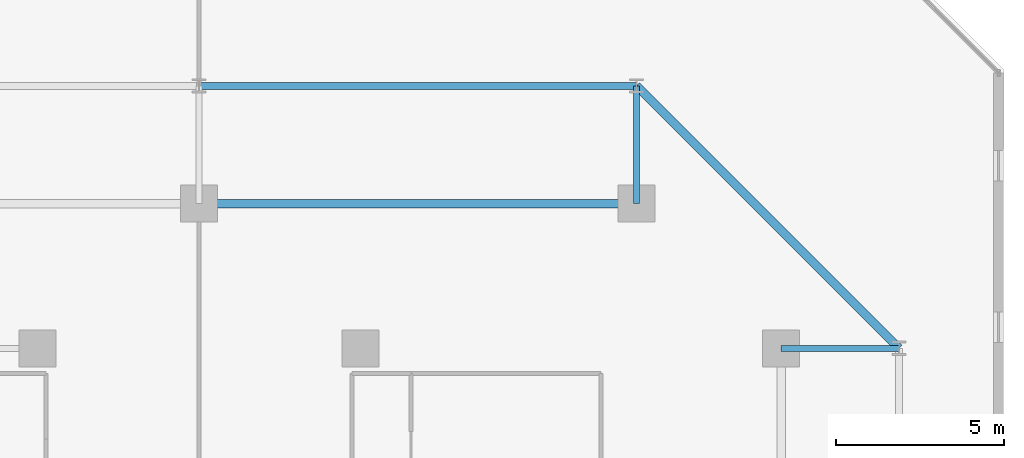
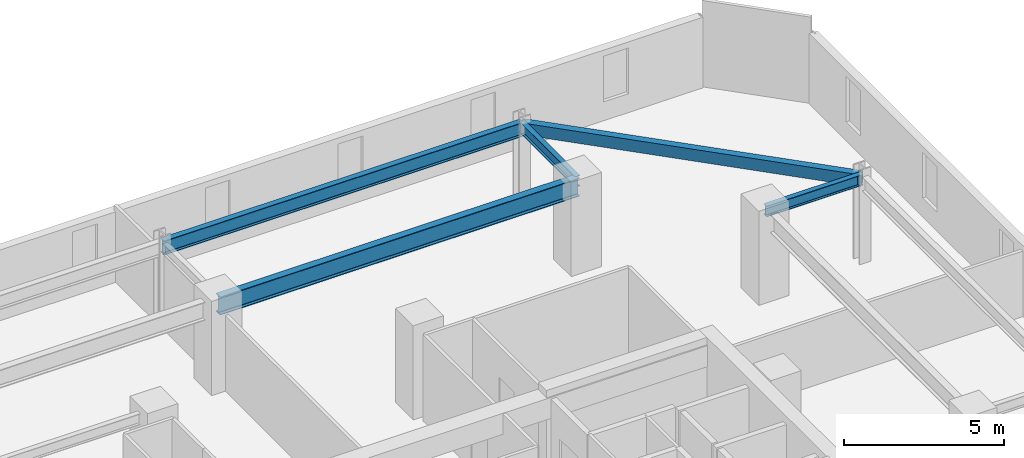
# One storey, part 15 of 30: 5 beams.
"""IFC4 building model written with IfcOpenShell, lengths in metres."""

from ifc_helpers import new_model, si_unit, direction, frame, origin, origin_2d, place, context, subcontext, project, spatial, hollow_rectangle, i_section, extrude, material, material_profile, profile_set, type_object, element, save


model = new_model("IFC4")

# Units and contexts
model_context = context("Model", 3, precision=1e-05, world=origin(), true_north=direction((0.0, 1.0)))
body_context = subcontext(model_context, "Body", "Model", "MODEL_VIEW")
ifc_project = project(units=[si_unit("LENGTHUNIT", "METRE"), si_unit("AREAUNIT", "SQUARE_METRE"), si_unit("VOLUMEUNIT", "CUBIC_METRE"), si_unit("PLANEANGLEUNIT", "RADIAN"), si_unit("MASSUNIT", "GRAM", prefix="KILO")], contexts=[model_context])

# Site, building, storey
site_placement = place(None, origin())
site = spatial("IfcSite", under=ifc_project, at=site_placement, CompositionType="ELEMENT")
building_placement = place(site_placement, origin())
building = spatial("IfcBuilding", under=site, at=building_placement, Name="Thornwick Lancets Civic Towers", CompositionType="ELEMENT")
storey_placement = place(building_placement, frame((0.0, 0.0, 149.10009765625)))
storey = spatial("IfcBuildingStorey", under=building, at=storey_placement, Name="L39", CompositionType="ELEMENT", Elevation=149.10009765625)

# Beams
ifc_material = material(Name="Steel S355JR", Category="steel")
ifc_material_profile_1 = material_profile(ifc_material, i_section(OverallWidth=0.210693359375, OverallDepth=0.53955078125, WebThickness=0.01171875, FlangeThickness=0.018798828125, FilletRadius=0.0126953125, at=origin_2d()), Name="UKB 533x210x109")
ifc_profile_set_1 = profile_set([ifc_material_profile_1], Name="Steel S355JR")
beam_type_1 = type_object("IfcBeamType", Name="BM_EDGE_533_109", PredefinedType="SPANDREL", material=ifc_profile_set_1)
beam_1_placement = place(storey_placement, frame((101.5, 47.800048828125, 3.050048828125), z_axis=(-1.0, 0.0, 0.0), x_axis=(0.0, -1.0, 0.0)))
element("IfcBeam", 1, at=beam_1_placement, inside=storey, type_object=beam_type_1, Name="BM-EDGE-L39-B-S1-1", PredefinedType="SPANDREL", context=body_context, shape_type="SweptSolid", body=[
    extrude(i_section(OverallWidth=0.210693359375, OverallDepth=0.53955078125, WebThickness=0.01171875, FlangeThickness=0.018798828125, FilletRadius=0.0126953125, at=origin_2d()), origin(), (0.0, 0.0, 1.0), 13.0),
])
ifc_material_profile_2 = material_profile(ifc_material, i_section(OverallWidth=0.255859375, OverallDepth=0.69287109375, WebThickness=0.014404296875, FlangeThickness=0.023681640625, FilletRadius=0.01513671875, at=origin_2d()), Name="UKB 686x254x170")
ifc_profile_set_2 = profile_set([ifc_material_profile_2], Name="Steel S355JR")
beam_type_2 = type_object("IfcBeamType", Name="BM_GIRD_686_170", PredefinedType="BEAM", material=ifc_profile_set_2)
beam_2_placement = place(storey_placement, frame((101.5, 44.300048828125, 2.973388671875), z_axis=(-1.0, 0.0, 0.0), x_axis=(0.0, -1.0, 0.0)))
element("IfcBeam", 2, at=beam_2_placement, inside=storey, type_object=beam_type_2, Name="BM-SPINE-L39-B-3-4", PredefinedType="BEAM", context=body_context, shape_type="SweptSolid", body=[
    extrude(i_section(OverallWidth=0.255859375, OverallDepth=0.69287109375, WebThickness=0.014404296875, FlangeThickness=0.023681640625, FilletRadius=0.01513671875, at=origin_2d()), origin(), (0.0, 0.0, 1.0), 13.0),
])
ifc_material_profile_3 = material_profile(ifc_material, i_section(OverallWidth=0.179443359375, OverallDepth=0.412841796875, WebThickness=0.009521484375, FlangeThickness=0.01611328125, FilletRadius=0.01025390625, at=origin_2d()), Name="UKB 406x178x74")
ifc_profile_set_3 = profile_set([ifc_material_profile_3], Name="Steel S355JR")
beam_type_3 = type_object("IfcBeamType", Name="BM_JOIST_406_74", PredefinedType="JOIST", material=ifc_profile_set_3)
for number, where, z_axis, x_axis, name in (
    (3, (105.800048828125, 40.0, 3.113525390625), (1.0, 0.0, 0.0), (0.0, 1.0, 0.0), "BM-RAD-L39-B03"),
    (4, (101.5, 44.300048828125, 3.113525390625), (0.0, 1.0, 0.0), (-1.0, 0.0, 0.0), "BM-RAD-L39-B04"),
):
    element("IfcBeam", number, at=place(storey_placement, frame(where, z_axis=z_axis, x_axis=x_axis)), inside=storey, type_object=beam_type_3, Name=name, PredefinedType="JOIST", context=body_context, shape_type="SweptSolid", body=[
        extrude(i_section(OverallWidth=0.179443359375, OverallDepth=0.412841796875, WebThickness=0.009521484375, FlangeThickness=0.01611328125, FilletRadius=0.01025390625, at=origin_2d()), origin(), (0.0, 0.0, 1.0), 3.5),
    ])
ifc_material_profile_4 = material_profile(ifc_material, hollow_rectangle(XDim=0.25, YDim=0.449951171875, WallThickness=0.01611328125, at=origin_2d()), Name="RHS 450x250x16")
ifc_profile_set_4 = profile_set([ifc_material_profile_4], Name="Steel S355JR")
beam_type_4 = type_object("IfcBeamType", Name="BM_RING_RHS450", PredefinedType="BEAM", material=ifc_profile_set_4)
beam_3_placement = place(storey_placement, frame((109.300048828125, 40.0, 3.094970703125), z_axis=(-0.707106781187, 0.707106781187, 0.0), x_axis=(-0.707106781187, -0.707106781187, 0.0)))
element("IfcBeam", 5, at=beam_3_placement, inside=storey, type_object=beam_type_4, Name="BM-CHAMF-L39-B-C0", PredefinedType="BEAM", context=body_context, shape_type="SweptSolid", body=[
    extrude(hollow_rectangle(XDim=0.25, YDim=0.449951171875, WallThickness=0.01611328125, at=origin_2d()), origin(), (0.0, 0.0, 1.0), 11.031005859375),
])

save(model, "model.ifc")
